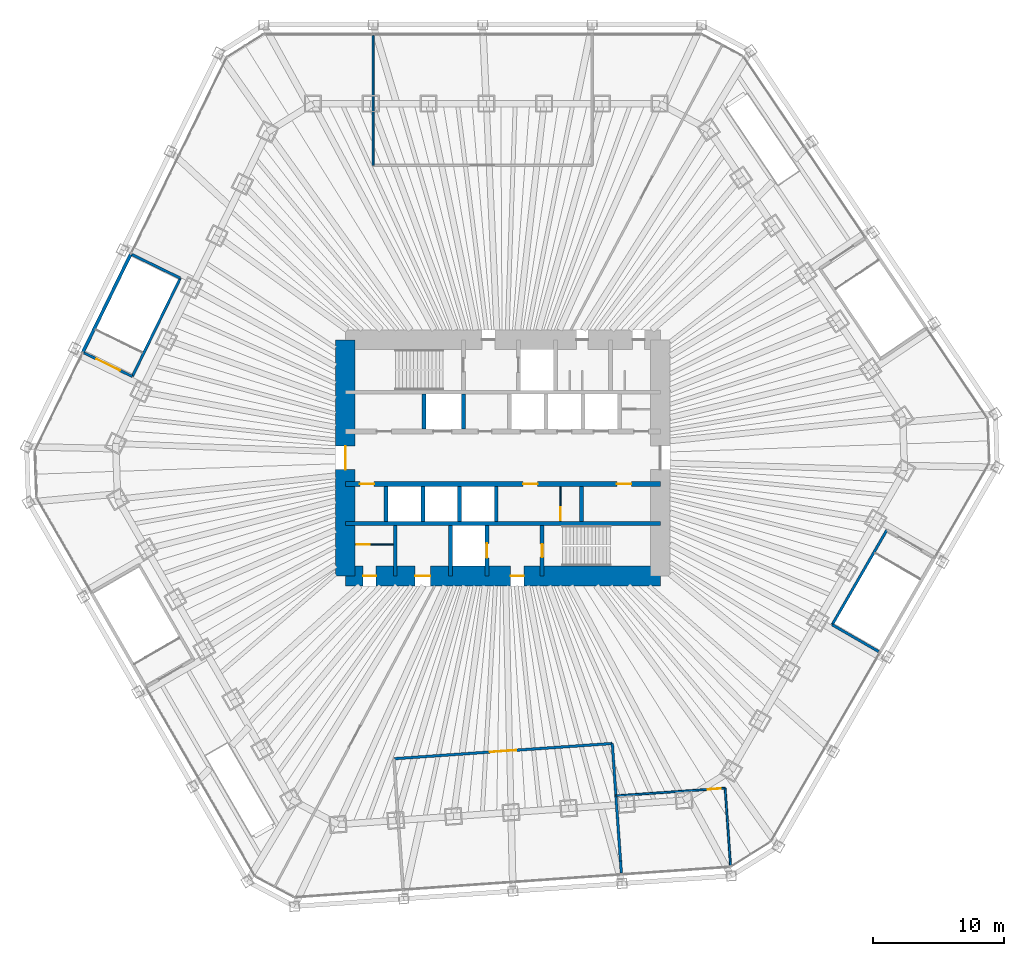
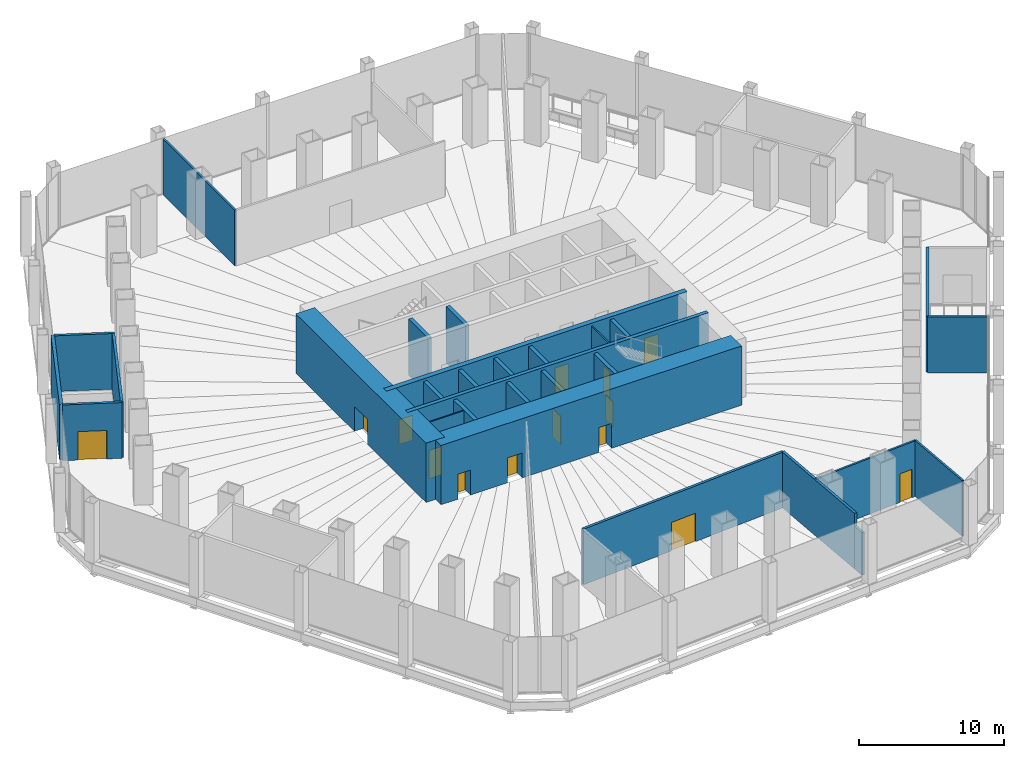
# One storey, part 15 of 18: 29 walls, 14 doors, 14 openings.
"""IFC4 building model written with IfcOpenShell, lengths in metres."""

from ifc_helpers import new_model, si_unit, direction, frame, frame_2d, origin, place, context, subcontext, project, spatial, rectangle, extrude, material, layer, layer_set, type_object, element, fill, save


model = new_model("IFC4")

# Units and contexts
model_context = context("Model", 3, precision=1e-05, world=origin(), true_north=direction((0.0, 1.0)))
body_context = subcontext(model_context, "Body", "Model", "MODEL_VIEW")
ifc_project = project(units=[si_unit("LENGTHUNIT", "METRE"), si_unit("AREAUNIT", "SQUARE_METRE"), si_unit("VOLUMEUNIT", "CUBIC_METRE"), si_unit("PLANEANGLEUNIT", "RADIAN"), si_unit("MASSUNIT", "GRAM", prefix="KILO")], contexts=[model_context])

# Site, building, storey
site_placement = place(None, origin())
site = spatial("IfcSite", under=ifc_project, at=site_placement, CompositionType="ELEMENT")
building_placement = place(site_placement, origin())
building = spatial("IfcBuilding", under=site, at=building_placement, Name="Qingtian Harvest Tower", CompositionType="ELEMENT")
storey_placement = place(building_placement, frame((0.0, 0.0, 12.0)))
storey = spatial("IfcBuildingStorey", under=building, at=storey_placement, Name="L02", CompositionType="ELEMENT", Elevation=12.0)

# Wall
ifc_material_1 = material(Name="Concrete fc' 70 MPa", Category="concrete")
ifc_layer_1 = layer(ifc_material_1, 0.300048828125)
ifc_layer_set_1 = layer_set([ifc_layer_1], Name="Core inner wall RC5 300")
wall_type_1 = type_object("IfcWallType", Name="Core inner wall RC5 300", PredefinedType="SHEAR", material=ifc_layer_set_1)
wall_1_placement = place(storey_placement, frame((-12.0, -5.0, 0.0), z_axis=(0.0, 0.0, 1.0), x_axis=(1.0, 0.0, 0.0)))
element("IfcWall", 1, at=wall_1_placement, inside=storey, type_object=wall_type_1, Name="Core wall IS5 L02", PredefinedType="SHEAR", context=body_context, shape_type="SweptSolid", body=[
    extrude(rectangle(XDim=24.0, YDim=0.300048828125, at=frame_2d((12.0, 0.0))), origin(), (0.0, 0.0, 1.0), 5.0),
])

# Wall, openings, doors
ifc_material_2 = material(Name="Concrete fc' 70 MPa", Category="concrete")
ifc_layer_2 = layer(ifc_material_2, 0.39990234375)
ifc_layer_set_2 = layer_set([ifc_layer_2], Name="Core inner web RC6 400")
wall_type_2 = type_object("IfcWallType", Name="Core inner web RC6 400", PredefinedType="SHEAR", material=ifc_layer_set_2)
wall_2_placement = place(storey_placement, frame((-12.0, -2.0, 0.0), z_axis=(0.0, 0.0, 1.0), x_axis=(1.0, 0.0, 0.0)))
wall_2 = element("IfcWall", 2, at=wall_2_placement, inside=storey, type_object=wall_type_2, Name="Core wall IS2 L02", PredefinedType="SHEAR", context=body_context, shape_type="SweptSolid", body=[
    extrude(rectangle(XDim=24.0, YDim=0.39990234375, at=frame_2d((12.0, 0.0))), origin(), (0.0, 0.0, 1.0), 5.0),
])
opening_1_placement = place(wall_2_placement, frame((1.10009765625, 0.0, 0.0)))
opening_1 = element("IfcOpeningElement", 3, at=opening_1_placement, cuts=wall_2, Name="Opening FD4", PredefinedType="OPENING", context=body_context, shape_type="SweptSolid", body=[
    extrude(rectangle(XDim=1.10009765625, YDim=2.10009765625, at=frame_2d((0.550048828125, 1.050048828125))), frame((0.0, 0.2099609375, 0.0), z_axis=(0.0, -1.0, 0.0), x_axis=(1.0, 0.0, 0.0)), (0.0, 0.0, 1.0), 0.419921875),
])
opening_2_placement = place(wall_2_placement, frame((13.550048828125, 0.0, 0.0)))
opening_2 = element("IfcOpeningElement", 4, at=opening_2_placement, cuts=wall_2, Name="Opening FD4", PredefinedType="OPENING", context=body_context, shape_type="SweptSolid", body=[
    extrude(rectangle(XDim=1.10009765625, YDim=2.10009765625, at=frame_2d((0.550048828125, 1.050048828125))), frame((0.0, 0.2099609375, 0.0), z_axis=(0.0, -1.0, 0.0), x_axis=(1.0, 0.0, 0.0)), (0.0, 0.0, 1.0), 0.419921875),
])
opening_3_placement = place(wall_2_placement, frame((20.699951171875, 0.0, 0.0)))
opening_3 = element("IfcOpeningElement", 5, at=opening_3_placement, cuts=wall_2, Name="Opening FD4", PredefinedType="OPENING", context=body_context, shape_type="SweptSolid", body=[
    extrude(rectangle(XDim=1.10009765625, YDim=2.10009765625, at=frame_2d((0.550048828125, 1.050048828125))), frame((0.0, 0.2099609375, 0.0), z_axis=(0.0, -1.0, 0.0), x_axis=(1.0, 0.0, 0.0)), (0.0, 0.0, 1.0), 0.419921875),
])
ifc_material_3 = material(Name="Steel-faced door leaf", Category="steel")
door_type_1 = type_object("IfcDoorType", Name="Fire door FD4 single 2 HR", OperationType="SINGLE_SWING_LEFT", PredefinedType="DOOR", material=ifc_material_3)
door_1_placement = place(opening_1_placement, origin())
door_1 = element("IfcDoor", 6, at=door_1_placement, inside=storey, type_object=door_type_1, Name="RB door L02", OperationType="SINGLE_SWING_RIGHT", OverallHeight=2.10009765625, OverallWidth=1.10009765625, PredefinedType="DOOR", context=body_context, shape_type="SweptSolid", body=[
    extrude(rectangle(XDim=1.10009765625, YDim=2.10009765625, at=frame_2d((0.550048828125, 1.050048828125))), frame((0.0, 0.02490234375, 0.0), z_axis=(0.0, -1.0, 0.0), x_axis=(1.0, 0.0, 0.0)), (0.0, 0.0, 1.0), 0.050048828125),
])
fill(opening_1, door_1)
door_2_placement = place(opening_2_placement, origin())
door_2 = element("IfcDoor", 7, at=door_2_placement, inside=storey, type_object=door_type_1, Name="ELEC door L02", OperationType="SINGLE_SWING_LEFT", OverallHeight=2.10009765625, OverallWidth=1.10009765625, PredefinedType="DOOR", context=body_context, shape_type="SweptSolid", body=[
    extrude(rectangle(XDim=1.10009765625, YDim=2.10009765625, at=frame_2d((0.550048828125, 1.050048828125))), frame((0.0, 0.02490234375, 0.0), z_axis=(0.0, -1.0, 0.0), x_axis=(1.0, 0.0, 0.0)), (0.0, 0.0, 1.0), 0.050048828125),
])
fill(opening_2, door_2)
door_3_placement = place(opening_3_placement, origin())
door_3 = element("IfcDoor", 8, at=door_3_placement, inside=storey, type_object=door_type_1, Name="DUCT door L02", OperationType="SINGLE_SWING_LEFT", OverallHeight=2.10009765625, OverallWidth=1.10009765625, PredefinedType="DOOR", context=body_context, shape_type="SweptSolid", body=[
    extrude(rectangle(XDim=1.10009765625, YDim=2.10009765625, at=frame_2d((0.550048828125, 1.050048828125))), frame((0.0, 0.02490234375, 0.0), z_axis=(0.0, -1.0, 0.0), x_axis=(1.0, 0.0, 0.0)), (0.0, 0.0, 1.0), 0.050048828125),
])
fill(opening_3, door_3)

# Walls
ifc_material_4 = material(Name="Precast concrete shaft panel", Category="concrete")
ifc_layer_3 = layer(ifc_material_4, 0.300048828125)
ifc_layer_set_3 = layer_set([ifc_layer_3], Name="Core shaft partition SW1 300")
wall_type_3 = type_object("IfcWallType", Name="Core shaft partition SW1 300", PredefinedType="PARTITIONING", material=ifc_layer_set_3)
for number, where, z_axis, x_axis, name in (
    (9, (-6.0, 2.199951171875, 0.0), (0.0, 0.0, 1.0), (0.0, 1.0, 0.0), "Core shaft partition XA1 L02"),
    (10, (-3.0, 2.199951171875, 0.0), (0.0, 0.0, 1.0), (0.0, 1.0, 0.0), "Core shaft partition XA2 L02"),
    (11, (-8.89990234375, -4.85009765625, 0.0), (0.0, 0.0, 1.0), (0.0, 1.0, 0.0), "Core shaft partition XB1 L02"),
    (12, (-6.10009765625, -4.85009765625, 0.0), (0.0, 0.0, 1.0), (0.0, 1.0, 0.0), "Core shaft partition XB2 L02"),
    (13, (-3.300048828125, -4.85009765625, 0.0), (0.0, 0.0, 1.0), (0.0, 1.0, 0.0), "Core shaft partition XB3 L02"),
    (14, (-0.5, -4.85009765625, 0.0), (0.0, 0.0, 1.0), (0.0, 1.0, 0.0), "Core shaft partition XB4 L02"),
    (15, (6.0, -4.85009765625, 0.0), (0.0, 0.0, 1.0), (0.0, 1.0, 0.0), "Core shaft partition XB5 L02"),
):
    element("IfcWall", number, at=place(storey_placement, frame(where, z_axis=z_axis, x_axis=x_axis)), inside=storey, type_object=wall_type_3, Name=name, PredefinedType="PARTITIONING", context=body_context, shape_type="SweptSolid", body=[
        extrude(rectangle(XDim=2.650146484375, YDim=0.300048828125, at=frame_2d((1.3251953125, 0.0))), origin(), (0.0, 0.0, 1.0), 4.780029296875),
    ])
for number, where, z_axis, x_axis, name in (
    (16, (-8.199951171875, -9.0, 0.0), (0.0, 0.0, 1.0), (0.0, 1.0, 0.0), "Core shaft partition XS1 L02"),
    (17, (-4.0, -9.0, 0.0), (0.0, 0.0, 1.0), (0.0, 1.0, 0.0), "Core shaft partition XS2 L02"),
):
    element("IfcWall", number, at=place(storey_placement, frame(where, z_axis=z_axis, x_axis=x_axis)), inside=storey, type_object=wall_type_3, Name=name, PredefinedType="PARTITIONING", context=body_context, shape_type="SweptSolid", body=[
        extrude(rectangle(XDim=3.85009765625, YDim=0.300048828125, at=frame_2d((1.925048828125, 0.0))), origin(), (0.0, 0.0, 1.0), 4.780029296875),
    ])

# Wall, opening, door
wall_3_placement = place(storey_placement, frame((-1.199951171875, -9.0, 0.0), z_axis=(0.0, 0.0, 1.0), x_axis=(0.0, 1.0, 0.0)))
wall_3 = element("IfcWall", 18, at=wall_3_placement, inside=storey, type_object=wall_type_3, Name="Core shaft partition XS3 L02", PredefinedType="PARTITIONING", context=body_context, shape_type="SweptSolid", body=[
    extrude(rectangle(XDim=3.85009765625, YDim=0.300048828125, at=frame_2d((1.925048828125, 0.0))), origin(), (0.0, 0.0, 1.0), 4.780029296875),
])
opening_4_placement = place(wall_3_placement, frame((1.375, 0.0, 0.0)))
opening_4 = element("IfcOpeningElement", 19, at=opening_4_placement, cuts=wall_3, Name="Opening LD1", PredefinedType="OPENING", context=body_context, shape_type="SweptSolid", body=[
    extrude(rectangle(XDim=1.10009765625, YDim=2.39990234375, at=frame_2d((0.550048828125, 1.199951171875))), frame((0.0, 0.159912109375, 0.0), z_axis=(0.0, -1.0, 0.0), x_axis=(1.0, 0.0, 0.0)), (0.0, 0.0, 1.0), 0.320068359375),
])
ifc_material_5 = material(Name="Stainless steel lift landing door", Category="steel")
door_type_2 = type_object("IfcDoorType", Name="Lift landing door LD1 1 HR", OperationType="DOUBLE_DOOR_SLIDING", PredefinedType="DOOR", material=ifc_material_5)
door_4_placement = place(opening_4_placement, origin())
door_4 = element("IfcDoor", 20, at=door_4_placement, inside=storey, type_object=door_type_2, Name="FL2 landing door L02", OperationType="DOUBLE_DOOR_SLIDING", OverallHeight=2.39990234375, OverallWidth=1.10009765625, PredefinedType="DOOR", context=body_context, shape_type="SweptSolid", body=[
    extrude(rectangle(XDim=1.10009765625, YDim=2.39990234375, at=frame_2d((0.550048828125, 1.199951171875))), frame((0.0, 0.02490234375, 0.0), z_axis=(0.0, -1.0, 0.0), x_axis=(1.0, 0.0, 0.0)), (0.0, 0.0, 1.0), 0.050048828125),
])
fill(opening_4, door_4)

wall_4_placement = place(storey_placement, frame((3.0, -9.0, 0.0), z_axis=(0.0, 0.0, 1.0), x_axis=(0.0, 1.0, 0.0)))
wall_4 = element("IfcWall", 21, at=wall_4_placement, inside=storey, type_object=wall_type_3, Name="Core shaft partition XS4 L02", PredefinedType="PARTITIONING", context=body_context, shape_type="SweptSolid", body=[
    extrude(rectangle(XDim=3.85009765625, YDim=0.300048828125, at=frame_2d((1.925048828125, 0.0))), origin(), (0.0, 0.0, 1.0), 4.780029296875),
])
opening_5_placement = place(wall_4_placement, frame((1.425048828125, 0.0, 0.0)))
opening_5 = element("IfcOpeningElement", 22, at=opening_5_placement, cuts=wall_4, Name="Opening FD1", PredefinedType="OPENING", context=body_context, shape_type="SweptSolid", body=[
    extrude(rectangle(XDim=1.0, YDim=2.10009765625, at=frame_2d((0.5, 1.050048828125))), frame((0.0, 0.159912109375, 0.0), z_axis=(0.0, -1.0, 0.0), x_axis=(1.0, 0.0, 0.0)), (0.0, 0.0, 1.0), 0.320068359375),
])
ifc_material_6 = material(Name="Steel-faced door leaf", Category="steel")
door_type_3 = type_object("IfcDoorType", Name="Fire door FD1 single 1 HR", OperationType="SINGLE_SWING_LEFT", PredefinedType="DOOR", material=ifc_material_6)
door_5_placement = place(opening_5_placement, origin())
door_5 = element("IfcDoor", 23, at=door_5_placement, inside=storey, type_object=door_type_3, Name="S2 door L02", OperationType="SINGLE_SWING_RIGHT", OverallHeight=2.10009765625, OverallWidth=1.0, PredefinedType="DOOR", context=body_context, shape_type="SweptSolid", body=[
    extrude(rectangle(XDim=1.0, YDim=2.10009765625, at=frame_2d((0.5, 1.050048828125))), frame((0.0, 0.02490234375, 0.0), z_axis=(0.0, -1.0, 0.0), x_axis=(1.0, 0.0, 0.0)), (0.0, 0.0, 1.0), 0.050048828125),
])
fill(opening_5, door_5)

# Wall, openings, doors
ifc_material_7 = material(Name="Concrete fc' 70 MPa", Category="concrete")
ifc_layer_4 = layer(ifc_material_7, 1.5)
ifc_layer_set_4 = layer_set([ifc_layer_4], Name="Core wall RC1 1500")
wall_type_4 = type_object("IfcWallType", Name="Core wall RC1 1500", PredefinedType="SHEAR", material=ifc_layer_set_4)
wall_5_placement = place(storey_placement, frame((-12.0, -9.0, 0.0), z_axis=(0.0, 0.0, 1.0), x_axis=(1.0, 0.0, 0.0)))
wall_5 = element("IfcWall", 24, at=wall_5_placement, inside=storey, type_object=wall_type_4, Name="Core wall CS L02", PredefinedType="SHEAR", context=body_context, shape_type="SweptSolid", body=[
    extrude(rectangle(XDim=24.0, YDim=1.5, at=frame_2d((12.0, 0.0))), origin(), (0.0, 0.0, 1.0), 5.0),
])
opening_6_placement = place(wall_5_placement, frame((1.35009765625, 0.0, 0.0)))
opening_6 = element("IfcOpeningElement", 25, at=opening_6_placement, cuts=wall_5, Name="Opening FD1", PredefinedType="OPENING", context=body_context, shape_type="SweptSolid", body=[
    extrude(rectangle(XDim=1.0, YDim=2.10009765625, at=frame_2d((0.5, 1.050048828125))), frame((0.0, 0.760009765625, 0.0), z_axis=(0.0, -1.0, 0.0), x_axis=(1.0, 0.0, 0.0)), (0.0, 0.0, 1.0), 1.52001953125),
])
opening_7_placement = place(wall_5_placement, frame((5.324951171875, 0.0, 0.0)))
opening_7 = element("IfcOpeningElement", 26, at=opening_7_placement, cuts=wall_5, Name="Opening AD1", PredefinedType="OPENING", context=body_context, shape_type="SweptSolid", body=[
    extrude(rectangle(XDim=1.14990234375, YDim=2.10009765625, at=frame_2d((0.574951171875, 1.050048828125))), frame((0.0, 0.760009765625, 0.0), z_axis=(0.0, -1.0, 0.0), x_axis=(1.0, 0.0, 0.0)), (0.0, 0.0, 1.0), 1.52001953125),
])
opening_8_placement = place(wall_5_placement, frame((12.60009765625, 0.0, 0.0)))
opening_8 = element("IfcOpeningElement", 27, at=opening_8_placement, cuts=wall_5, Name="Opening FD1", PredefinedType="OPENING", context=body_context, shape_type="SweptSolid", body=[
    extrude(rectangle(XDim=1.0, YDim=2.10009765625, at=frame_2d((0.5, 1.050048828125))), frame((0.0, 0.760009765625, 0.0), z_axis=(0.0, -1.0, 0.0), x_axis=(1.0, 0.0, 0.0)), (0.0, 0.0, 1.0), 1.52001953125),
])
ifc_material_8 = material(Name="Laminated timber door leaf", Category="wood")
door_type_4 = type_object("IfcDoorType", Name="Accessible WC door AD1 single", OperationType="SINGLE_SWING_LEFT", PredefinedType="DOOR", material=ifc_material_8)
door_6_placement = place(opening_7_placement, origin())
door_6 = element("IfcDoor", 28, at=door_6_placement, inside=storey, type_object=door_type_4, Name="AWC door L02", OperationType="SINGLE_SWING_LEFT", OverallHeight=2.10009765625, OverallWidth=1.14990234375, PredefinedType="DOOR", context=body_context, shape_type="SweptSolid", body=[
    extrude(rectangle(XDim=1.14990234375, YDim=2.10009765625, at=frame_2d((0.574951171875, 1.050048828125))), frame((0.0, 0.02490234375, 0.0), z_axis=(0.0, -1.0, 0.0), x_axis=(1.0, 0.0, 0.0)), (0.0, 0.0, 1.0), 0.050048828125),
])
fill(opening_7, door_6)
door_7_placement = place(opening_6_placement, origin())
door_7 = element("IfcDoor", 29, at=door_7_placement, inside=storey, type_object=door_type_3, Name="CLN door L02", OperationType="SINGLE_SWING_LEFT", OverallHeight=2.10009765625, OverallWidth=1.0, PredefinedType="DOOR", context=body_context, shape_type="SweptSolid", body=[
    extrude(rectangle(XDim=1.0, YDim=2.10009765625, at=frame_2d((0.5, 1.050048828125))), frame((0.0, 0.02490234375, 0.0), z_axis=(0.0, -1.0, 0.0), x_axis=(1.0, 0.0, 0.0)), (0.0, 0.0, 1.0), 0.050048828125),
])
fill(opening_6, door_7)
door_8_placement = place(opening_8_placement, origin())
door_8 = element("IfcDoor", 30, at=door_8_placement, inside=storey, type_object=door_type_3, Name="V2 door L02", OperationType="SINGLE_SWING_RIGHT", OverallHeight=2.10009765625, OverallWidth=1.0, PredefinedType="DOOR", context=body_context, shape_type="SweptSolid", body=[
    extrude(rectangle(XDim=1.0, YDim=2.10009765625, at=frame_2d((0.5, 1.050048828125))), frame((0.0, 0.02490234375, 0.0), z_axis=(0.0, -1.0, 0.0), x_axis=(1.0, 0.0, 0.0)), (0.0, 0.0, 1.0), 0.050048828125),
])
fill(opening_8, door_8)

# Wall, opening, door
wall_6_placement = place(storey_placement, frame((-12.0, -9.0, 0.0), z_axis=(0.0, 0.0, 1.0), x_axis=(0.0, 1.0, 0.0)))
wall_6 = element("IfcWall", 31, at=wall_6_placement, inside=storey, type_object=wall_type_4, Name="Core wall CW L02", PredefinedType="SHEAR", context=body_context, shape_type="SweptSolid", body=[
    extrude(rectangle(XDim=18.0, YDim=1.5, at=frame_2d((9.0, 0.0))), origin(), (0.0, 0.0, 1.0), 5.0),
])
opening_9_placement = place(wall_6_placement, frame((8.10009765625, 0.0, 0.0)))
opening_9 = element("IfcOpeningElement", 32, at=opening_9_placement, cuts=wall_6, Name="Opening FD2", PredefinedType="OPENING", context=body_context, shape_type="SweptSolid", body=[
    extrude(rectangle(XDim=1.800048828125, YDim=2.10009765625, at=frame_2d((0.89990234375, 1.050048828125))), frame((0.0, 0.760009765625, 0.0), z_axis=(0.0, -1.0, 0.0), x_axis=(1.0, 0.0, 0.0)), (0.0, 0.0, 1.0), 1.52001953125),
])
ifc_material_9 = material(Name="Steel-faced door leaf", Category="steel")
door_type_5 = type_object("IfcDoorType", Name="Fire door FD2 double 1 HR", OperationType="DOUBLE_DOOR_DOUBLE_SWING", PredefinedType="DOOR", material=ifc_material_9)
door_9_placement = place(opening_9_placement, origin())
door_9 = element("IfcDoor", 33, at=door_9_placement, inside=storey, type_object=door_type_5, Name="LOBBY-W door L02", OperationType="DOUBLE_DOOR_DOUBLE_SWING", OverallHeight=2.10009765625, OverallWidth=1.800048828125, PredefinedType="DOOR", context=body_context, shape_type="SweptSolid", body=[
    extrude(rectangle(XDim=1.800048828125, YDim=2.10009765625, at=frame_2d((0.89990234375, 1.050048828125))), frame((0.0, 0.02490234375, 0.0), z_axis=(0.0, -1.0, 0.0), x_axis=(1.0, 0.0, 0.0)), (0.0, 0.0, 1.0), 0.050048828125),
])
fill(opening_9, door_9)

# Walls
ifc_material_10 = material(Name="Bronze-clad steel-framed screen wall with fire-rated lining", Category="steel")
ifc_layer_5 = layer(ifc_material_10, 0.25)
ifc_layer_set_5 = layer_set([ifc_layer_5], Name="Facade door bay wall FW2 250")
wall_type_5 = type_object("IfcWallType", Name="Facade door bay wall FW2 250", PredefinedType="SOLIDWALL", material=ifc_layer_set_5)
wall_7_placement = place(storey_placement, frame((-32.013916015625, 8.04345703125, 0.0), z_axis=(0.0, 0.0, 1.0), x_axis=(0.438364815309, 0.898797134341, 0.0)))
element("IfcWall", 34, at=wall_7_placement, inside=storey, type_object=wall_type_5, Name="Exit stair wall bay NW1", PredefinedType="SOLIDWALL", context=body_context, shape_type="SweptSolid", body=[
    extrude(rectangle(XDim=8.341796875, YDim=0.25, at=frame_2d((4.1708984375, 0.0))), origin(), (0.0, 0.0, 1.0), 4.699951171875),
])
ifc_material_11 = material(Name="Blockwork fire wall", Category="masonry")
ifc_layer_6 = layer(ifc_material_11, 0.199951171875)
ifc_layer_set_6 = layer_set([ifc_layer_6], Name="Fire partition FW1 200")
wall_type_6 = type_object("IfcWallType", Name="Fire partition FW1 200", PredefinedType="PARTITIONING", material=ifc_layer_set_6)
wall_8_placement = place(storey_placement, frame((9.0341796875, -31.64697265625, 0.0), z_axis=(0.0, 0.0, 1.0), x_axis=(-0.069837025026, 0.997558414297, 0.0)))
element("IfcWall", 35, at=wall_8_placement, inside=storey, type_object=wall_type_6, Name="Restaurant kitchen wall L02", PredefinedType="PARTITIONING", context=body_context, shape_type="SweptSolid", body=[
    extrude(rectangle(XDim=0.9228515625, YDim=0.199951171875, at=frame_2d((0.46142578125, 0.0))), origin(), (0.0, 0.0, 1.0), 3.60009765625),
])

# Wall, opening, door
wall_9_placement = place(storey_placement, frame((8.34375, -21.77099609375, 0.0), z_axis=(0.0, 0.0, 1.0), x_axis=(-0.997563959397, -0.069757773133, 0.0)))
wall_9 = element("IfcWall", 36, at=wall_9_placement, inside=storey, type_object=wall_type_6, Name="Restaurant kitchen wall L02", PredefinedType="PARTITIONING", context=body_context, shape_type="SweptSolid", body=[
    extrude(rectangle(XDim=16.68359375, YDim=0.199951171875, at=frame_2d((8.341796875, 0.0))), origin(), (0.0, 0.0, 1.0), 4.699951171875),
])
opening_10_placement = place(wall_9_placement, frame((7.341796875, 0.0, 0.0)))
opening_10 = element("IfcOpeningElement", 37, at=opening_10_placement, cuts=wall_9, Name="Opening FD3", PredefinedType="OPENING", context=body_context, shape_type="SweptSolid", body=[
    extrude(rectangle(XDim=2.0, YDim=2.39990234375, at=frame_2d((1.0, 1.199951171875))), frame((0.0, 0.10986328125, 0.0), z_axis=(0.0, -1.0, 0.0), x_axis=(1.0, 0.0, 0.0)), (0.0, 0.0, 1.0), 0.219970703125),
])
ifc_material_12 = material(Name="Steel-faced door leaf", Category="steel")
door_type_6 = type_object("IfcDoorType", Name="Fire door FD3 double 2 HR", OperationType="DOUBLE_DOOR_DOUBLE_SWING", PredefinedType="DOOR", material=ifc_material_12)
door_10_placement = place(opening_10_placement, origin())
door_10 = element("IfcDoor", 38, at=door_10_placement, inside=storey, type_object=door_type_6, Name="Restaurant kitchen door L02", OperationType="DOUBLE_DOOR_DOUBLE_SWING", OverallHeight=2.39990234375, OverallWidth=2.0, PredefinedType="DOOR", context=body_context, shape_type="SweptSolid", body=[
    extrude(rectangle(XDim=2.0, YDim=2.39990234375, at=frame_2d((1.0, 1.199951171875))), frame((0.0, 0.02490234375, 0.0), z_axis=(0.0, -1.0, 0.0), x_axis=(1.0, 0.0, 0.0)), (0.0, 0.0, 1.0), 0.050048828125),
])
fill(opening_10, door_10)

# Walls
wall_10_placement = place(storey_placement, frame((28.654541015625, -14.768798828125, 0.0), z_axis=(0.0, 0.0, 1.0), x_axis=(-0.866010060309, 0.500026574738, 0.0)))
element("IfcWall", 39, at=wall_10_placement, inside=storey, type_object=wall_type_6, Name="Exit stair P2 enclosure L02", PredefinedType="PARTITIONING", context=body_context, shape_type="SweptSolid", body=[
    extrude(rectangle(XDim=4.099853515625, YDim=0.199951171875, at=frame_2d((2.0498046875, 0.0))), origin(), (0.0, 0.0, 1.0), 4.699951171875),
])
wall_11_placement = place(storey_placement, frame((29.274658203125, -5.49462890625, 0.0), z_axis=(0.0, 0.0, 1.0), x_axis=(-0.499982560684, -0.866035472144, 0.0)))
element("IfcWall", 40, at=wall_11_placement, inside=storey, type_object=wall_type_6, Name="Exit stair P2 enclosure L02", PredefinedType="PARTITIONING", context=body_context, shape_type="SweptSolid", body=[
    extrude(rectangle(XDim=8.341552734375, YDim=0.199951171875, at=frame_2d((4.1708984375, 0.0))), origin(), (0.0, 0.0, 1.0), 4.699951171875),
])

# Wall, opening, door
wall_12_placement = place(storey_placement, frame((-31.924072265625, 7.99951171875, 0.0), z_axis=(0.0, 0.0, 1.0), x_axis=(0.898790191345, -0.438379050529, 0.0)))
wall_12 = element("IfcWall", 41, at=wall_12_placement, inside=storey, type_object=wall_type_6, Name="Exit stair P4 enclosure L02", PredefinedType="PARTITIONING", context=body_context, shape_type="SweptSolid", body=[
    extrude(rectangle(XDim=4.10009765625, YDim=0.199951171875, at=frame_2d((2.050048828125, 0.0))), origin(), (0.0, 0.0, 1.0), 4.699951171875),
])
opening_11_placement = place(wall_12_placement, frame((1.050048828125, 0.0, 0.0)))
opening_11 = element("IfcOpeningElement", 42, at=opening_11_placement, cuts=wall_12, Name="Opening FD3", PredefinedType="OPENING", context=body_context, shape_type="SweptSolid", body=[
    extrude(rectangle(XDim=2.0, YDim=2.39990234375, at=frame_2d((1.0, 1.199951171875))), frame((0.0, 0.10986328125, 0.0), z_axis=(0.0, -1.0, 0.0), x_axis=(1.0, 0.0, 0.0)), (0.0, 0.0, 1.0), 0.219970703125),
])
door_11_placement = place(opening_11_placement, origin())
door_11 = element("IfcDoor", 43, at=door_11_placement, inside=storey, type_object=door_type_6, Name="Exit stair P4 door L02", OperationType="DOUBLE_DOOR_DOUBLE_SWING", OverallHeight=2.39990234375, OverallWidth=2.0, PredefinedType="DOOR", context=body_context, shape_type="SweptSolid", body=[
    extrude(rectangle(XDim=2.0, YDim=2.39990234375, at=frame_2d((1.0, 1.199951171875))), frame((0.0, 0.02490234375, 0.0), z_axis=(0.0, -1.0, 0.0), x_axis=(1.0, 0.0, 0.0)), (0.0, 0.0, 1.0), 0.050048828125),
])
fill(opening_11, door_11)

# Walls
wall_13_placement = place(storey_placement, frame((-28.267333984375, 15.4970703125, 0.0), z_axis=(0.0, 0.0, 1.0), x_axis=(0.898790191345, -0.438379050529, 0.0)))
element("IfcWall", 44, at=wall_13_placement, inside=storey, type_object=wall_type_6, Name="Exit stair P4 enclosure L02", PredefinedType="PARTITIONING", context=body_context, shape_type="SweptSolid", body=[
    extrude(rectangle(XDim=4.10009765625, YDim=0.199951171875, at=frame_2d((2.050048828125, 0.0))), origin(), (0.0, 0.0, 1.0), 4.699951171875),
])
wall_14_placement = place(storey_placement, frame((-28.239013671875, 6.2021484375, 0.0), z_axis=(0.0, 0.0, 1.0), x_axis=(0.438364815309, 0.898797134341, 0.0)))
element("IfcWall", 45, at=wall_14_placement, inside=storey, type_object=wall_type_6, Name="Exit stair P4 enclosure L02", PredefinedType="PARTITIONING", context=body_context, shape_type="SweptSolid", body=[
    extrude(rectangle(XDim=8.341796875, YDim=0.199951171875, at=frame_2d((4.1708984375, 0.0))), origin(), (0.0, 0.0, 1.0), 4.699951171875),
])
wall_15_placement = place(storey_placement, frame((8.9697265625, -30.726318359375, 0.0), z_axis=(0.0, 0.0, 1.0), x_axis=(-0.069729805766, 0.997565914708, 0.0)))
element("IfcWall", 46, at=wall_15_placement, inside=storey, type_object=wall_type_6, Name="Restaurant kitchen wall L02", PredefinedType="PARTITIONING", context=body_context, shape_type="SweptSolid", body=[
    extrude(rectangle(XDim=8.977294921875, YDim=0.199951171875, at=frame_2d((4.48876953125, 0.0))), origin(), (0.0, 0.0, 1.0), 4.699951171875),
])
ifc_material_13 = material(Name="Gypsum board on steel studs", Category="steel")
ifc_layer_7 = layer(ifc_material_13, 0.14990234375)
ifc_layer_set_7 = layer_set([ifc_layer_7], Name="Partition PT1 150")
wall_type_7 = type_object("IfcWallType", Name="Partition PT1 150", PredefinedType="PARTITIONING", material=ifc_layer_set_7)
wall_16_placement = place(storey_placement, frame((-9.87890625, 32.199951171875, 0.0), z_axis=(0.0, 0.0, 1.0), x_axis=(0.0, -1.0, 0.0)))
element("IfcWall", 47, at=wall_16_placement, inside=storey, type_object=wall_type_7, Name="Cooking school wall L02", PredefinedType="PARTITIONING", context=body_context, shape_type="SweptSolid", body=[
    extrude(rectangle(XDim=9.89990234375, YDim=0.14990234375, at=frame_2d((4.949951171875, 0.0))), origin(), (0.0, 0.0, 1.0), 4.699951171875),
])
wall_17_placement = place(storey_placement, frame((17.355712890625, -31.06494140625, 0.0), z_axis=(0.0, 0.0, 1.0), x_axis=(-0.069767771051, 0.997563260211, 0.0)))
element("IfcWall", 48, at=wall_17_placement, inside=storey, type_object=wall_type_7, Name="Staff WC wall L02", PredefinedType="PARTITIONING", context=body_context, shape_type="SweptSolid", body=[
    extrude(rectangle(XDim=5.89990234375, YDim=0.14990234375, at=frame_2d((2.949951171875, 0.0))), origin(), (0.0, 0.0, 1.0), 4.699951171875),
])

# Wall, opening, door
wall_18_placement = place(storey_placement, frame((16.944091796875, -25.179443359375, 0.0), z_axis=(0.0, 0.0, 1.0), x_axis=(-0.997564977604, -0.069743210844, 0.0)))
wall_18 = element("IfcWall", 49, at=wall_18_placement, inside=storey, type_object=wall_type_7, Name="Staff WC wall L02", PredefinedType="PARTITIONING", context=body_context, shape_type="SweptSolid", body=[
    extrude(rectangle(XDim=8.341796875, YDim=0.14990234375, at=frame_2d((4.1708984375, 0.0))), origin(), (0.0, 0.0, 1.0), 4.699951171875),
])
opening_12_placement = place(wall_18_placement, frame((0.334228515625, 0.0, 0.0)))
opening_12 = element("IfcOpeningElement", 50, at=opening_12_placement, cuts=wall_18, Name="Opening D2", PredefinedType="OPENING", context=body_context, shape_type="SweptSolid", body=[
    extrude(rectangle(XDim=1.0, YDim=2.39990234375, at=frame_2d((0.5, 1.199951171875))), frame((0.0, 0.0849609375, 0.0), z_axis=(0.0, -1.0, 0.0), x_axis=(1.0, 0.0, 0.0)), (0.0, 0.0, 1.0), 0.169921875),
])
ifc_material_14 = material(Name="Laminated timber door leaf", Category="wood")
door_type_7 = type_object("IfcDoorType", Name="Room door D2 single", OperationType="SINGLE_SWING_LEFT", PredefinedType="DOOR", material=ifc_material_14)
door_12_placement = place(opening_12_placement, origin())
door_12 = element("IfcDoor", 51, at=door_12_placement, inside=storey, type_object=door_type_7, Name="Staff WC door L02", OperationType="SINGLE_SWING_RIGHT", OverallHeight=2.39990234375, OverallWidth=1.0, PredefinedType="DOOR", context=body_context, shape_type="SweptSolid", body=[
    extrude(rectangle(XDim=1.0, YDim=2.39990234375, at=frame_2d((0.5, 1.199951171875))), frame((0.0, 0.02490234375, 0.0), z_axis=(0.0, -1.0, 0.0), x_axis=(1.0, 0.0, 0.0)), (0.0, 0.0, 1.0), 0.050048828125),
])
fill(opening_12, door_12)

ifc_material_15 = material(Name="Concrete block partition", Category="concrete")
ifc_layer_8 = layer(ifc_material_15, 0.10009765625)
ifc_layer_set_8 = layer_set([ifc_layer_8], Name="Store partition PT3 100")
wall_type_8 = type_object("IfcWallType", Name="Store partition PT3 100", PredefinedType="PARTITIONING", material=ifc_layer_set_8)
wall_19_placement = place(storey_placement, frame((4.39990234375, -4.85009765625, 0.0), z_axis=(0.0, 0.0, 1.0), x_axis=(0.0, 1.0, 0.0)))
wall_19 = element("IfcWall", 52, at=wall_19_placement, inside=storey, type_object=wall_type_8, Name="Security equipment room wall L02", PredefinedType="PARTITIONING", context=body_context, shape_type="SweptSolid", body=[
    extrude(rectangle(XDim=2.650146484375, YDim=0.10009765625, at=frame_2d((1.3251953125, 0.0))), origin(), (0.0, 0.0, 1.0), 4.780029296875),
])
opening_13_placement = place(wall_19_placement, frame((0.10009765625, 0.0, 0.0)))
opening_13 = element("IfcOpeningElement", 53, at=opening_13_placement, cuts=wall_19, Name="Opening D2", PredefinedType="OPENING", context=body_context, shape_type="SweptSolid", body=[
    extrude(rectangle(XDim=1.0, YDim=2.39990234375, at=frame_2d((0.5, 1.199951171875))), frame((0.0, 0.06005859375, 0.0), z_axis=(0.0, -1.0, 0.0), x_axis=(1.0, 0.0, 0.0)), (0.0, 0.0, 1.0), 0.1201171875),
])
door_13_placement = place(opening_13_placement, origin())
door_13 = element("IfcDoor", 54, at=door_13_placement, inside=storey, type_object=door_type_7, Name="Security equipment room door L02", OperationType="SINGLE_SWING_RIGHT", OverallHeight=2.39990234375, OverallWidth=1.0, PredefinedType="DOOR", context=body_context, shape_type="SweptSolid", body=[
    extrude(rectangle(XDim=1.0, YDim=2.39990234375, at=frame_2d((0.5, 1.199951171875))), frame((0.0, 0.02490234375, 0.0), z_axis=(0.0, -1.0, 0.0), x_axis=(1.0, 0.0, 0.0)), (0.0, 0.0, 1.0), 0.050048828125),
])
fill(opening_13, door_13)

wall_20_placement = place(storey_placement, frame((-11.25, -6.60009765625, 0.0), z_axis=(0.0, 0.0, 1.0), x_axis=(1.0, 0.0, 0.0)))
wall_20 = element("IfcWall", 55, at=wall_20_placement, inside=storey, type_object=wall_type_8, Name="Waste store wall L02", PredefinedType="PARTITIONING", context=body_context, shape_type="SweptSolid", body=[
    extrude(rectangle(XDim=2.89990234375, YDim=0.10009765625, at=frame_2d((1.449951171875, 0.0))), origin(), (0.0, 0.0, 1.0), 4.780029296875),
])
opening_14_placement = place(wall_20_placement, frame((0.10009765625, 0.0, 0.0)))
opening_14 = element("IfcOpeningElement", 56, at=opening_14_placement, cuts=wall_20, Name="Opening D2", PredefinedType="OPENING", context=body_context, shape_type="SweptSolid", body=[
    extrude(rectangle(XDim=1.0, YDim=2.39990234375, at=frame_2d((0.5, 1.199951171875))), frame((0.0, 0.06005859375, 0.0), z_axis=(0.0, -1.0, 0.0), x_axis=(1.0, 0.0, 0.0)), (0.0, 0.0, 1.0), 0.1201171875),
])
door_14_placement = place(opening_14_placement, origin())
door_14 = element("IfcDoor", 57, at=door_14_placement, inside=storey, type_object=door_type_7, Name="Waste store door L02", OperationType="SINGLE_SWING_LEFT", OverallHeight=2.39990234375, OverallWidth=1.0, PredefinedType="DOOR", context=body_context, shape_type="SweptSolid", body=[
    extrude(rectangle(XDim=1.0, YDim=2.39990234375, at=frame_2d((0.5, 1.199951171875))), frame((0.0, 0.02490234375, 0.0), z_axis=(0.0, -1.0, 0.0), x_axis=(1.0, 0.0, 0.0)), (0.0, 0.0, 1.0), 0.050048828125),
])
fill(opening_14, door_14)

save(model, "model.ifc")
